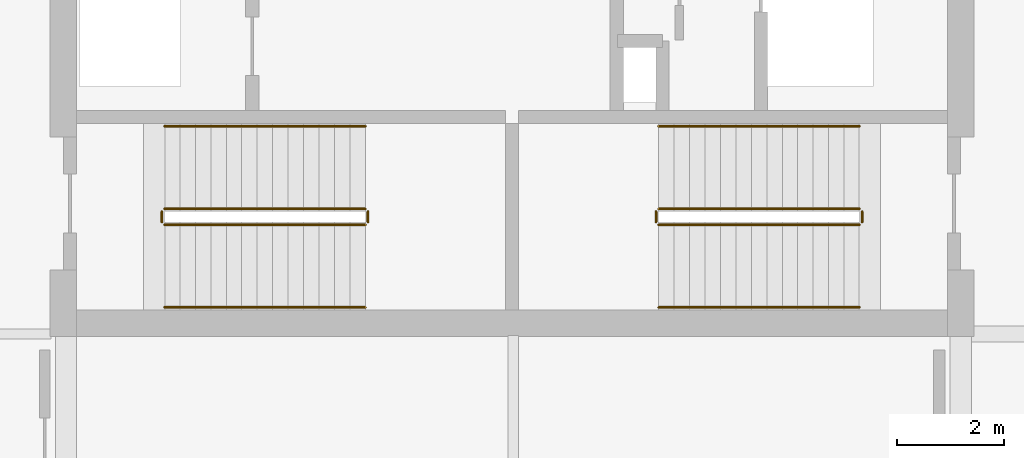
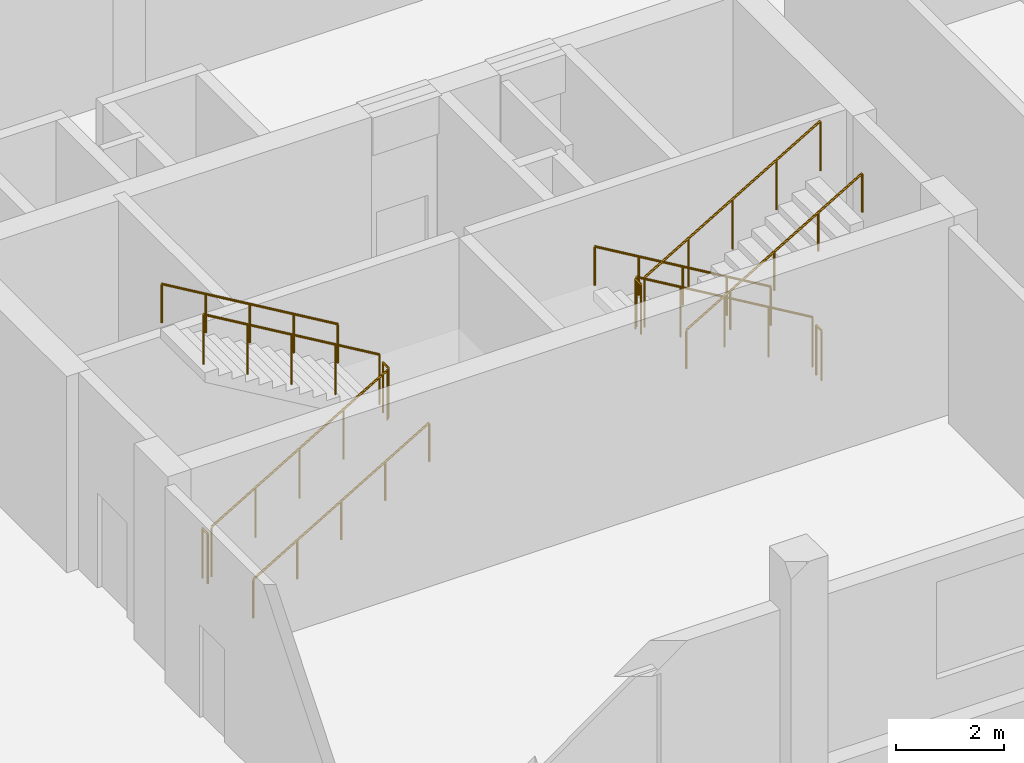
# One storey, part 17 of 18: 12 railings.
"""IFC4 building model written with IfcOpenShell, lengths in metres."""

import ifcopenshell
import ifcopenshell.guid

model = None  # the IFC model being written
_history = None  # IfcOwnerHistory: only IFC2X3 demands one
_inside = {}  # id of a spatial element -> (the spatial element, [elements in it])
_under = {}  # id of a project, library or spatial element -> (it, [spatial elements below it])
_declared = {}  # id of a project -> (the project, [libraries it declares])
_typed = {}  # id of a type object -> (the type object, [elements of that type])
_made_of = {}  # id of a material, layer set ... -> (it, [elements and type objects made of it])


def new_model(schema):
    """Start an empty IFC model of exactly this schema.

    Asked for "IFC4X3", IfcOpenShell would pick the latest addendum, in which some entities
    have other attributes; the version numbers below select the first issue.
    IFC2X3 requires an IfcOwnerHistory on every rooted entity: one is made here for all.
    """
    global model, _history
    if schema == "IFC4X3":
        model = ifcopenshell.file(schema_version=(4, 3, 0, 0))
    else:
        model = ifcopenshell.file(schema=schema)
    _inside.clear()
    _under.clear()
    _declared.clear()
    _typed.clear()
    _made_of.clear()
    _history = None
    if model.schema == "IFC2X3":
        org = make("IfcOrganization", Name="unknown")
        user = make(
            "IfcPersonAndOrganization",
            ThePerson=make("IfcPerson", FamilyName="unknown"),
            TheOrganization=org,
        )
        app = make(
            "IfcApplication",
            ApplicationDeveloper=org,
            Version="unknown",
            ApplicationFullName="unknown",
            ApplicationIdentifier="unknown",
        )
        _history = make(
            "IfcOwnerHistory",
            OwningUser=user,
            OwningApplication=app,
            ChangeAction="ADDED",
            CreationDate=0,
        )
    return model


def make(cls, **values):
    """One entity of the class cls with the attributes given. An attribute that is None is left unset."""
    return model.create_entity(
        cls, **{name: value for name, value in values.items() if value is not None}
    )


def rooted(cls, **values):
    """An entity with a GlobalId (a new one), such as an element, a storey or a relation."""
    return make(cls, GlobalId=ifcopenshell.guid.new(), OwnerHistory=_history, **values)


def si_unit(unit_type, name, prefix=None):
    """IfcSIUnit, for example si_unit("LENGTHUNIT", "METRE", prefix="MILLI")."""
    return make("IfcSIUnit", UnitType=unit_type, Prefix=prefix, Name=name)


def assignment(units):
    """IfcUnitAssignment: the units of a project."""
    return None if units is None else make("IfcUnitAssignment", Units=units)


def point(xyz):
    """IfcCartesianPoint."""
    return None if xyz is None else make("IfcCartesianPoint", Coordinates=xyz)


def direction(xyz):
    """IfcDirection."""
    return None if xyz is None else make("IfcDirection", DirectionRatios=xyz)


def frame(location, z_axis=None, x_axis=None):
    """IfcAxis2Placement3D, a coordinate frame: its origin and axes. An axis left out is left unset."""
    return make(
        "IfcAxis2Placement3D",
        Location=point(location),
        Axis=direction(z_axis),
        RefDirection=direction(x_axis),
    )


def frame_2d(location, x_axis=None):
    """IfcAxis2Placement2D, a coordinate frame in the plane: its origin and x axis."""
    return make(
        "IfcAxis2Placement2D", Location=point(location), RefDirection=direction(x_axis)
    )


def origin():
    """The frame at (0, 0, 0) with its axes left unset."""
    return frame((0.0, 0.0, 0.0))


def origin_2d():
    """The frame at (0, 0) in the plane with its x axis left unset."""
    return frame_2d((0.0, 0.0))


def place(relative_to, where):
    """IfcLocalPlacement: puts the frame where relative to a parent placement (None: the world)."""
    return make(
        "IfcLocalPlacement", PlacementRelTo=relative_to, RelativePlacement=where
    )


def context(
    kind, dimensions, precision=None, world=None, true_north=None, identifier=None
):
    """IfcGeometricRepresentationContext, for example the 3D "Model" context."""
    return make(
        "IfcGeometricRepresentationContext",
        ContextIdentifier=identifier,
        ContextType=kind,
        CoordinateSpaceDimension=dimensions,
        Precision=precision,
        WorldCoordinateSystem=world,
        TrueNorth=true_north,
    )


def subcontext(parent, identifier, kind, view, scale=None):
    """IfcGeometricRepresentationSubContext, for example "Body" below "Model"."""
    return make(
        "IfcGeometricRepresentationSubContext",
        ContextIdentifier=identifier,
        ContextType=kind,
        ParentContext=parent,
        TargetScale=scale,
        TargetView=view,
    )


def project(units=None, contexts=None):
    """IfcProject with its units and contexts."""
    return rooted(
        "IfcProject",
        Name="project",
        RepresentationContexts=contexts,
        UnitsInContext=assignment(units),
    )


def spatial(cls, under=None, at=None, **own):
    """A site, building, storey or space (cls), placed at a placement, below another one or the project."""
    s = rooted(cls, ObjectPlacement=at, **own)
    if under is not None:
        _under.setdefault(under.id(), (under, []))[1].append(s)
    return s


def profile(cls, at=None, kind="AREA", **sizes):
    """A parametric profile (cls). Its sizes go by their IFC names, for example OverallWidth=200.0."""
    return make(cls, ProfileType=kind, Position=at, **sizes)


def circle(**sizes):
    """IfcCircleProfileDef."""
    return profile("IfcCircleProfileDef", **sizes)


def extrude(swept, where, along, depth):
    """IfcExtrudedAreaSolid: the profile swept, set in the frame where, extruded along a direction by depth."""
    return make(
        "IfcExtrudedAreaSolid",
        SweptArea=swept,
        Position=where,
        ExtrudedDirection=direction(along),
        Depth=depth,
    )


def shape(context_of_items, identifier, shape_type, items):
    """IfcShapeRepresentation: the items that make up one representation, for example the "Body"."""
    return make(
        "IfcShapeRepresentation",
        ContextOfItems=context_of_items,
        RepresentationIdentifier=identifier,
        RepresentationType=shape_type,
        Items=items,
    )


def material(Name=None, Category=None):
    """IfcMaterial."""
    return make("IfcMaterial", Name=Name, Category=Category)


def made_of(thing, what):
    """Note that an element or type object is made of a material, layer set ...; save() writes the relation."""
    if what is not None:
        _made_of.setdefault(what.id(), (what, []))[1].append(thing)
    return thing


def type_object(cls, material=None, **own):
    """A type object (cls), such as IfcWallType, which elements share."""
    return made_of(rooted(cls, **own), material)


def element(
    cls,
    number,
    at=None,
    inside=None,
    cuts=None,
    type_object=None,
    material=None,
    context=None,
    identifier="Body",
    shape_type=None,
    held_by="IfcProductDefinitionShape",
    body=None,
    shapes=None,
    **own,
):
    """One element of the class cls, such as IfcWall. Its Tag is "e" and its number.

    at: its placement. inside: the storey or other place that contains it. cuts: it is an
    opening in that element (IfcRelVoidsElement). A single representation is given by context,
    identifier, shape_type and body (its items); several are given by shapes. held_by: the class
    of the entity that holds the representations. save() writes the other relations.
    """
    e = rooted(cls, Tag="e%d" % number, ObjectPlacement=at, **own)
    if body is not None:
        shapes = [shape(context, identifier, shape_type, body)]
    if shapes is not None:
        e.Representation = make(held_by, Representations=shapes)
    if inside is not None:
        _inside.setdefault(inside.id(), (inside, []))[1].append(e)
    if cuts is not None:
        rooted(
            "IfcRelVoidsElement", RelatingBuildingElement=cuts, RelatedOpeningElement=e
        )
    if type_object is not None:
        _typed.setdefault(type_object.id(), (type_object, []))[1].append(e)
    return made_of(e, material)


def aggregate(whole, parts):
    """IfcRelAggregates: a whole, such as a stair, and the parts it consists of."""
    return rooted("IfcRelAggregates", RelatingObject=whole, RelatedObjects=parts)


def save(model, path):
    """Write the relations noted so far, then the file.

    IfcRelAggregates (storeys below a building ...), IfcRelContainedInSpatialStructure (elements
    in a storey), IfcRelDefinesByType, IfcRelAssociatesMaterial and IfcRelDeclares: one each for
    every whole, place, type object, material and project.
    """
    for whole, parts in _under.values():
        aggregate(whole, parts)
    for where, things in _inside.values():
        rooted(
            "IfcRelContainedInSpatialStructure",
            RelatedElements=things,
            RelatingStructure=where,
        )
    for kind, things in _typed.values():
        rooted("IfcRelDefinesByType", RelatedObjects=things, RelatingType=kind)
    for what, things in _made_of.values():
        rooted("IfcRelAssociatesMaterial", RelatedObjects=things, RelatingMaterial=what)
    for by, libraries in _declared.values():
        rooted("IfcRelDeclares", RelatingContext=by, RelatedDefinitions=libraries)
    model.write(path)


model = new_model("IFC4")

# Units and contexts
model_context = context("Model", 3, precision=1e-05, world=origin(), true_north=direction((0.0, 1.0)))
body_context = subcontext(model_context, "Body", "Model", "MODEL_VIEW")
ifc_project = project(units=[si_unit("LENGTHUNIT", "METRE"), si_unit("AREAUNIT", "SQUARE_METRE"), si_unit("VOLUMEUNIT", "CUBIC_METRE"), si_unit("PLANEANGLEUNIT", "RADIAN"), si_unit("MASSUNIT", "GRAM", prefix="KILO")], contexts=[model_context])

# Site, building, storey
site_placement = place(None, origin())
site = spatial("IfcSite", under=ifc_project, at=site_placement, CompositionType="ELEMENT")
building_placement = place(site_placement, origin())
building = spatial("IfcBuilding", under=site, at=building_placement, Name="Koriwani Terraces Tower", CompositionType="ELEMENT")
storey_placement = place(building_placement, frame((0.0, 0.0, 363.800048828125)))
storey = spatial("IfcBuildingStorey", under=building, at=storey_placement, Name="L90", CompositionType="ELEMENT", Elevation=363.800048828125)

# Railings
ifc_material = material(Name="Steel ASTM A572 Grade 50", Category="steel")
railing_type_1 = type_object("IfcRailingType", Name="GUARD_STAIR_WELL_1120", PredefinedType="GUARDRAIL", material=ifc_material)
railing_1_placement = place(storey_placement, frame((43.85009765625, 18.85009765625, 0.17138671875)))
element("IfcRailing", 1, at=railing_1_placement, inside=storey, type_object=railing_type_1, Name="L90 ST-E1 stair guard 1", PredefinedType="GUARDRAIL", context=body_context, shape_type="SweptSolid", body=[
    extrude(circle(Radius=0.02392578125, at=origin_2d()), frame((0.0, 0.0, 1.1259765625), z_axis=(0.860848830602, 0.0, 0.508860777473), x_axis=(0.0, 1.0, 0.0)), (0.0, 0.0, 1.0), 4.37939453125),
    extrude(circle(Radius=0.02099609375, at=origin_2d()), origin(), (0.0, 0.0, 1.0), 1.101806640625),
    extrude(circle(Radius=0.02099609375, at=origin_2d()), frame((0.9423828125, 0.0, 0.55712890625)), (0.0, 0.0, 1.0), 1.101806640625),
    extrude(circle(Radius=0.02099609375, at=origin_2d()), frame((1.885009765625, 0.0, 1.1142578125)), (0.0, 0.0, 1.0), 1.101806640625),
    extrude(circle(Radius=0.02099609375, at=origin_2d()), frame((2.82763671875, 0.0, 1.67138671875)), (0.0, 0.0, 1.0), 1.101806640625),
    extrude(circle(Radius=0.02099609375, at=origin_2d()), frame((3.77001953125, 0.0, 2.228515625)), (0.0, 0.0, 1.0), 1.101806640625),
])
railing_2_placement = place(storey_placement, frame((47.669921875, 18.89990234375, 2.39990234375)))
element("IfcRailing", 2, at=railing_2_placement, inside=storey, type_object=railing_type_1, Name="L90 ST-E1 stair guard 2", PredefinedType="GUARDRAIL", context=body_context, shape_type="SweptSolid", body=[
    extrude(circle(Radius=0.02392578125, at=origin_2d()), frame((0.0, 0.0, 1.1259765625), z_axis=(0.0, 1.0, 0.0), x_axis=(-1.0, 0.0, 0.0)), (0.0, 0.0, 1.0), 0.2001953125),
    extrude(circle(Radius=0.02099609375, at=origin_2d()), origin(), (0.0, 0.0, 1.0), 1.101806640625),
    extrude(circle(Radius=0.02099609375, at=origin_2d()), frame((0.0, 0.2001953125, 0.0)), (0.0, 0.0, 1.0), 1.101806640625),
])
railing_3_placement = place(storey_placement, frame((47.6201171875, 19.14990234375, 2.5712890625)))
element("IfcRailing", 3, at=railing_3_placement, inside=storey, type_object=railing_type_1, Name="L90 ST-E1 stair guard 3", PredefinedType="GUARDRAIL", context=body_context, shape_type="SweptSolid", body=[
    extrude(circle(Radius=0.02392578125, at=origin_2d()), frame((0.0, 0.0, 1.1259765625), z_axis=(-0.860824410104, 0.0, 0.508902087802), x_axis=(0.0, -1.0, 0.0)), (0.0, 0.0, 1.0), 4.379638671875),
    extrude(circle(Radius=0.02099609375, at=origin_2d()), origin(), (0.0, 0.0, 1.0), 1.101806640625),
    extrude(circle(Radius=0.02099609375, at=origin_2d()), frame((-0.9423828125, 0.0, 0.55712890625)), (0.0, 0.0, 1.0), 1.101806640625),
    extrude(circle(Radius=0.02099609375, at=origin_2d()), frame((-1.885009765625, 0.0, 1.1142578125)), (0.0, 0.0, 1.0), 1.101806640625),
    extrude(circle(Radius=0.02099609375, at=origin_2d()), frame((-2.82763671875, 0.0, 1.671630859375)), (0.0, 0.0, 1.0), 1.101806640625),
    extrude(circle(Radius=0.02099609375, at=origin_2d()), frame((-3.77001953125, 0.0, 2.228759765625)), (0.0, 0.0, 1.0), 1.101806640625),
])
railing_4_placement = place(storey_placement, frame((43.800048828125, 18.89990234375, 0.0)))
element("IfcRailing", 4, at=railing_4_placement, inside=storey, type_object=railing_type_1, Name="L90 ST-E1 stair guard 4", PredefinedType="GUARDRAIL", context=body_context, shape_type="SweptSolid", body=[
    extrude(circle(Radius=0.02392578125, at=origin_2d()), frame((0.0, 0.0, 1.1259765625), z_axis=(0.0, 1.0, 0.0), x_axis=(-1.0, 0.0, 0.0)), (0.0, 0.0, 1.0), 0.2001953125),
    extrude(circle(Radius=0.02099609375, at=origin_2d()), origin(), (0.0, 0.0, 1.0), 1.101806640625),
    extrude(circle(Radius=0.02099609375, at=origin_2d()), frame((0.0, 0.2001953125, 0.0)), (0.0, 0.0, 1.0), 1.101806640625),
])
railing_5_placement = place(storey_placement, frame((56.89990234375, 19.14990234375, 0.17138671875)))
element("IfcRailing", 5, at=railing_5_placement, inside=storey, type_object=railing_type_1, Name="L90 ST-E2 stair guard 1", PredefinedType="GUARDRAIL", context=body_context, shape_type="SweptSolid", body=[
    extrude(circle(Radius=0.02392578125, at=origin_2d()), frame((0.0, 0.0, 1.1259765625), z_axis=(-0.860848830602, 0.0, 0.508860777473), x_axis=(0.0, -1.0, 0.0)), (0.0, 0.0, 1.0), 4.37939453125),
    extrude(circle(Radius=0.02099609375, at=origin_2d()), origin(), (0.0, 0.0, 1.0), 1.101806640625),
    extrude(circle(Radius=0.02099609375, at=origin_2d()), frame((-0.9423828125, 0.0, 0.55712890625)), (0.0, 0.0, 1.0), 1.101806640625),
    extrude(circle(Radius=0.02099609375, at=origin_2d()), frame((-1.885009765625, 0.0, 1.1142578125)), (0.0, 0.0, 1.0), 1.101806640625),
    extrude(circle(Radius=0.02099609375, at=origin_2d()), frame((-2.82763671875, 0.0, 1.67138671875)), (0.0, 0.0, 1.0), 1.101806640625),
    extrude(circle(Radius=0.02099609375, at=origin_2d()), frame((-3.77001953125, 0.0, 2.228515625)), (0.0, 0.0, 1.0), 1.101806640625),
])
railing_6_placement = place(storey_placement, frame((53.080078125, 19.10009765625, 2.39990234375)))
element("IfcRailing", 6, at=railing_6_placement, inside=storey, type_object=railing_type_1, Name="L90 ST-E2 stair guard 2", PredefinedType="GUARDRAIL", context=body_context, shape_type="SweptSolid", body=[
    extrude(circle(Radius=0.02392578125, at=origin_2d()), frame((0.0, 0.0, 1.1259765625), z_axis=(0.0, -1.0, 0.0), x_axis=(1.0, 0.0, 0.0)), (0.0, 0.0, 1.0), 0.2001953125),
    extrude(circle(Radius=0.02099609375, at=origin_2d()), origin(), (0.0, 0.0, 1.0), 1.101806640625),
    extrude(circle(Radius=0.02099609375, at=origin_2d()), frame((0.0, -0.2001953125, 0.0)), (0.0, 0.0, 1.0), 1.101806640625),
])
railing_7_placement = place(storey_placement, frame((53.1298828125, 18.85009765625, 2.5712890625)))
element("IfcRailing", 7, at=railing_7_placement, inside=storey, type_object=railing_type_1, Name="L90 ST-E2 stair guard 3", PredefinedType="GUARDRAIL", context=body_context, shape_type="SweptSolid", body=[
    extrude(circle(Radius=0.02392578125, at=origin_2d()), frame((0.0, 0.0, 1.1259765625), z_axis=(0.860824410104, 0.0, 0.508902087802), x_axis=(0.0, 1.0, 0.0)), (0.0, 0.0, 1.0), 4.379638671875),
    extrude(circle(Radius=0.02099609375, at=origin_2d()), origin(), (0.0, 0.0, 1.0), 1.101806640625),
    extrude(circle(Radius=0.02099609375, at=origin_2d()), frame((0.9423828125, 0.0, 0.55712890625)), (0.0, 0.0, 1.0), 1.101806640625),
    extrude(circle(Radius=0.02099609375, at=origin_2d()), frame((1.885009765625, 0.0, 1.1142578125)), (0.0, 0.0, 1.0), 1.101806640625),
    extrude(circle(Radius=0.02099609375, at=origin_2d()), frame((2.82763671875, 0.0, 1.671630859375)), (0.0, 0.0, 1.0), 1.101806640625),
    extrude(circle(Radius=0.02099609375, at=origin_2d()), frame((3.77001953125, 0.0, 2.228759765625)), (0.0, 0.0, 1.0), 1.101806640625),
])
railing_8_placement = place(storey_placement, frame((56.949951171875, 19.10009765625, 0.0)))
element("IfcRailing", 8, at=railing_8_placement, inside=storey, type_object=railing_type_1, Name="L90 ST-E2 stair guard 4", PredefinedType="GUARDRAIL", context=body_context, shape_type="SweptSolid", body=[
    extrude(circle(Radius=0.02392578125, at=origin_2d()), frame((0.0, 0.0, 1.1259765625), z_axis=(0.0, -1.0, 0.0), x_axis=(1.0, 0.0, 0.0)), (0.0, 0.0, 1.0), 0.2001953125),
    extrude(circle(Radius=0.02099609375, at=origin_2d()), origin(), (0.0, 0.0, 1.0), 1.101806640625),
    extrude(circle(Radius=0.02099609375, at=origin_2d()), frame((0.0, -0.2001953125, 0.0)), (0.0, 0.0, 1.0), 1.101806640625),
])
railing_type_2 = type_object("IfcRailingType", Name="HANDRAIL_STAIR_920", PredefinedType="HANDRAIL", material=ifc_material)
railing_9_placement = place(storey_placement, frame((43.85009765625, 17.300048828125, 0.17138671875)))
element("IfcRailing", 9, at=railing_9_placement, inside=storey, type_object=railing_type_2, Name="L90 ST-E1 stair handrail 1", PredefinedType="HANDRAIL", context=body_context, shape_type="SweptSolid", body=[
    extrude(circle(Radius=0.02392578125, at=origin_2d()), frame((0.0, 0.0, 0.8759765625), z_axis=(0.860848830602, 0.0, 0.508860777473), x_axis=(0.0, 1.0, 0.0)), (0.0, 0.0, 1.0), 4.37939453125),
    extrude(circle(Radius=0.02099609375, at=origin_2d()), origin(), (0.0, 0.0, 1.0), 0.851806640625),
    extrude(circle(Radius=0.02099609375, at=origin_2d()), frame((0.9423828125, 0.0, 0.55712890625)), (0.0, 0.0, 1.0), 0.851806640625),
    extrude(circle(Radius=0.02099609375, at=origin_2d()), frame((1.885009765625, 0.0, 1.1142578125)), (0.0, 0.0, 1.0), 0.851806640625),
    extrude(circle(Radius=0.02099609375, at=origin_2d()), frame((2.82763671875, 0.0, 1.67138671875)), (0.0, 0.0, 1.0), 0.851806640625),
    extrude(circle(Radius=0.02099609375, at=origin_2d()), frame((3.77001953125, 0.0, 2.228515625)), (0.0, 0.0, 1.0), 0.851806640625),
])
railing_10_placement = place(storey_placement, frame((47.6201171875, 20.699951171875, 2.5712890625)))
element("IfcRailing", 10, at=railing_10_placement, inside=storey, type_object=railing_type_2, Name="L90 ST-E1 stair handrail 2", PredefinedType="HANDRAIL", context=body_context, shape_type="SweptSolid", body=[
    extrude(circle(Radius=0.02392578125, at=origin_2d()), frame((0.0, 0.0, 0.8759765625), z_axis=(-0.860824410104, 0.0, 0.508902087802), x_axis=(0.0, -1.0, 0.0)), (0.0, 0.0, 1.0), 4.379638671875),
    extrude(circle(Radius=0.02099609375, at=origin_2d()), origin(), (0.0, 0.0, 1.0), 0.851806640625),
    extrude(circle(Radius=0.02099609375, at=origin_2d()), frame((-0.9423828125, 0.0, 0.55712890625)), (0.0, 0.0, 1.0), 0.851806640625),
    extrude(circle(Radius=0.02099609375, at=origin_2d()), frame((-1.885009765625, 0.0, 1.1142578125)), (0.0, 0.0, 1.0), 0.851806640625),
    extrude(circle(Radius=0.02099609375, at=origin_2d()), frame((-2.82763671875, 0.0, 1.671630859375)), (0.0, 0.0, 1.0), 0.851806640625),
    extrude(circle(Radius=0.02099609375, at=origin_2d()), frame((-3.77001953125, 0.0, 2.228759765625)), (0.0, 0.0, 1.0), 0.851806640625),
])
railing_11_placement = place(storey_placement, frame((56.89990234375, 20.699951171875, 0.17138671875)))
element("IfcRailing", 11, at=railing_11_placement, inside=storey, type_object=railing_type_2, Name="L90 ST-E2 stair handrail 1", PredefinedType="HANDRAIL", context=body_context, shape_type="SweptSolid", body=[
    extrude(circle(Radius=0.02392578125, at=origin_2d()), frame((0.0, 0.0, 0.8759765625), z_axis=(-0.860848830602, 0.0, 0.508860777473), x_axis=(0.0, -1.0, 0.0)), (0.0, 0.0, 1.0), 4.37939453125),
    extrude(circle(Radius=0.02099609375, at=origin_2d()), origin(), (0.0, 0.0, 1.0), 0.851806640625),
    extrude(circle(Radius=0.02099609375, at=origin_2d()), frame((-0.9423828125, 0.0, 0.55712890625)), (0.0, 0.0, 1.0), 0.851806640625),
    extrude(circle(Radius=0.02099609375, at=origin_2d()), frame((-1.885009765625, 0.0, 1.1142578125)), (0.0, 0.0, 1.0), 0.851806640625),
    extrude(circle(Radius=0.02099609375, at=origin_2d()), frame((-2.82763671875, 0.0, 1.67138671875)), (0.0, 0.0, 1.0), 0.851806640625),
    extrude(circle(Radius=0.02099609375, at=origin_2d()), frame((-3.77001953125, 0.0, 2.228515625)), (0.0, 0.0, 1.0), 0.851806640625),
])
railing_12_placement = place(storey_placement, frame((53.1298828125, 17.300048828125, 2.5712890625)))
element("IfcRailing", 12, at=railing_12_placement, inside=storey, type_object=railing_type_2, Name="L90 ST-E2 stair handrail 2", PredefinedType="HANDRAIL", context=body_context, shape_type="SweptSolid", body=[
    extrude(circle(Radius=0.02392578125, at=origin_2d()), frame((0.0, 0.0, 0.8759765625), z_axis=(0.860824410104, 0.0, 0.508902087802), x_axis=(0.0, 1.0, 0.0)), (0.0, 0.0, 1.0), 4.379638671875),
    extrude(circle(Radius=0.02099609375, at=origin_2d()), origin(), (0.0, 0.0, 1.0), 0.851806640625),
    extrude(circle(Radius=0.02099609375, at=origin_2d()), frame((0.9423828125, 0.0, 0.55712890625)), (0.0, 0.0, 1.0), 0.851806640625),
    extrude(circle(Radius=0.02099609375, at=origin_2d()), frame((1.885009765625, 0.0, 1.1142578125)), (0.0, 0.0, 1.0), 0.851806640625),
    extrude(circle(Radius=0.02099609375, at=origin_2d()), frame((2.82763671875, 0.0, 1.671630859375)), (0.0, 0.0, 1.0), 0.851806640625),
    extrude(circle(Radius=0.02099609375, at=origin_2d()), frame((3.77001953125, 0.0, 2.228759765625)), (0.0, 0.0, 1.0), 0.851806640625),
])

save(model, "model.ifc")
